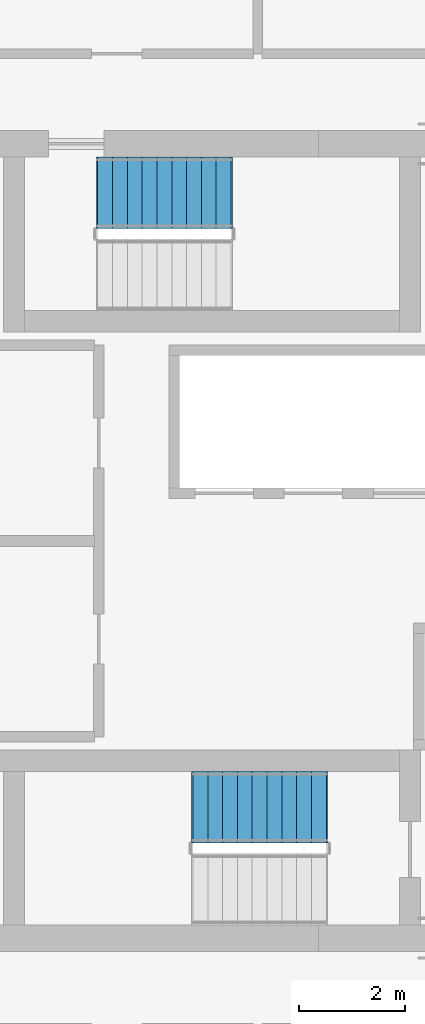
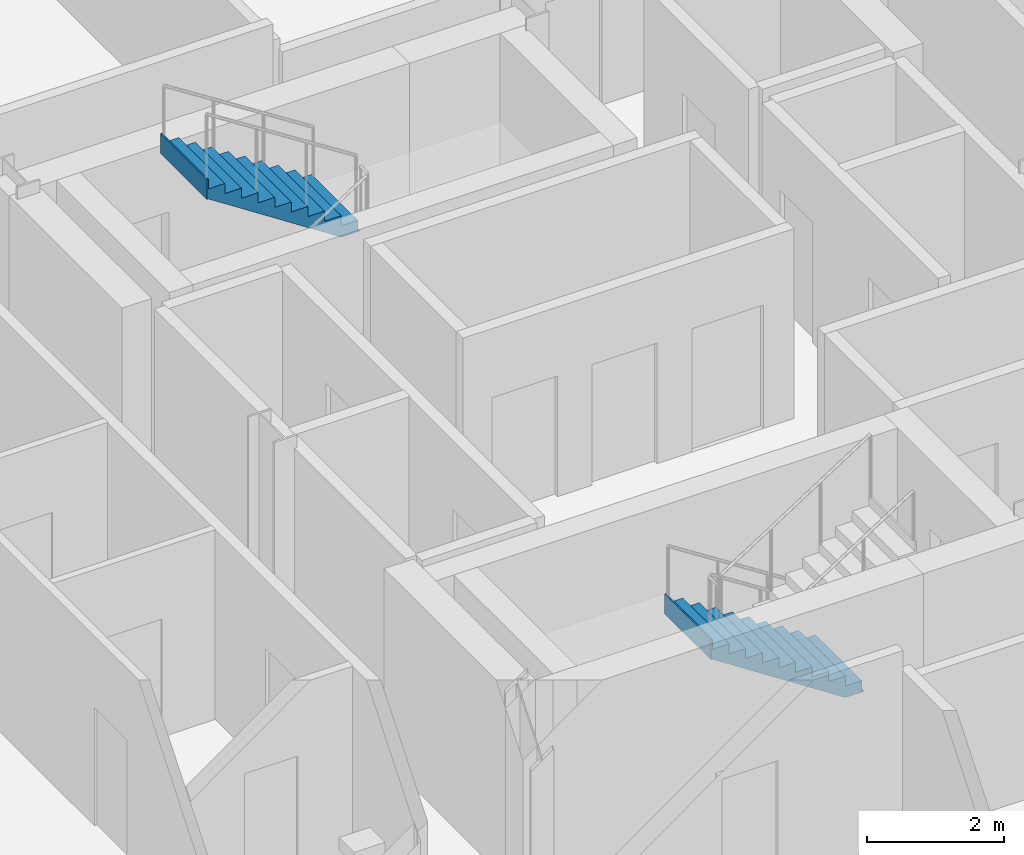
# One storey, part 19 of 21: 2 stair flights, 2 elements without a shape of their own.
"""IFC4 building model written with IfcOpenShell, lengths in metres."""

from ifc_helpers import new_model, si_unit, direction, frame, origin, place, context, subcontext, project, spatial, polyline, outline, extrude, material, type_object, element, aggregate, save


model = new_model("IFC4")

# Units and contexts
model_context = context("Model", 3, precision=1e-05, world=origin(), true_north=direction((0.0, 1.0)))
body_context = subcontext(model_context, "Body", "Model", "MODEL_VIEW")
ifc_project = project(units=[si_unit("LENGTHUNIT", "METRE"), si_unit("AREAUNIT", "SQUARE_METRE"), si_unit("VOLUMEUNIT", "CUBIC_METRE"), si_unit("PLANEANGLEUNIT", "RADIAN"), si_unit("MASSUNIT", "GRAM", prefix="KILO")], contexts=[model_context])

# Site, building, storey
site_placement = place(None, origin())
site = spatial("IfcSite", under=ifc_project, at=site_placement, CompositionType="ELEMENT")
building_placement = place(site_placement, origin())
building = spatial("IfcBuilding", under=site, at=building_placement, Name="Barlavira Tower and Art Museum", CompositionType="ELEMENT")
storey_placement = place(building_placement, frame((0.0, 0.0, 287.10009765625)))
storey = spatial("IfcBuildingStorey", under=building, at=storey_placement, Name="L75", CompositionType="ELEMENT", Elevation=287.10009765625)

# Stair, stair flight
ifc_material_1 = material(Name="Concrete C45", Category="concrete")
stair_type_1 = type_object("IfcStairType", Name="Tower North Dog-Leg Exit Stair Assembly Concrete C45", PredefinedType="TWO_QUARTER_TURN_STAIR", material=ifc_material_1)
stair_1_placement = place(storey_placement, origin())
stair_1 = element("IfcStair", 1, at=stair_1_placement, inside=storey, type_object=stair_type_1, Name="L75 Tower North Exit Stair ST-T2", PredefinedType="TWO_QUARTER_TURN_STAIR")
ifc_material_2 = material(Name="Precast concrete C45", Category="concrete")
stair_flight_type_1 = type_object("IfcStairFlightType", Name="Tower North Dog-Leg Exit Stair Precast Flight 1350 Concrete C45", PredefinedType="STRAIGHT", material=ifc_material_2)
stair_flight_1_placement = place(storey_placement, frame((-1.64990234375, 6.574951171875, 1.7998046875), z_axis=(0.0, 0.0, 1.0), x_axis=(-1.0, 0.0, 0.0)))
stair_flight_1 = element("IfcStairFlight", 2, at=stair_flight_1_placement, type_object=stair_flight_type_1, Name="ST-T2 flight 2", NumberOfRisers=10, NumberOfTreads=9, PredefinedType="STRAIGHT", RiserHeight=0.18, TreadLength=0.28, context=body_context, shape_type="SweptSolid", body=[
    extrude(outline(polyline([(-0.02490234375, 0.0), (0.0, 0.0), (0.0, 0.179931640625), (0.280029296875, 0.179931640625), (0.280029296875, 0.360107421875), (0.56005859375, 0.360107421875), (0.56005859375, 0.5400390625), (0.840087890625, 0.5400390625), (0.840087890625, 0.719970703125), (1.1201171875, 0.719970703125), (1.1201171875, 0.89990234375), (1.39990234375, 0.89990234375), (1.39990234375, 1.080078125), (1.679931640625, 1.080078125), (1.679931640625, 1.260009765625), (1.9599609375, 1.260009765625), (1.9599609375, 1.43994140625), (2.239990234375, 1.43994140625), (2.239990234375, 1.6201171875), (2.52001953125, 1.6201171875), (2.52001953125, 1.800048828125), (2.544921875, 1.800048828125), (2.544921875, 1.44189453125), (2.52001953125, 1.44189453125), (0.277099609375, -0.02490234375), (-0.02490234375, -0.02490234375), (-0.02490234375, 0.0)])), frame((0.0, 0.675048828125, 0.0), z_axis=(0.0, -1.0, 0.0), x_axis=(1.0, 0.0, 0.0)), (0.0, 0.0, 1.0), 1.35009765625),
])
aggregate(stair_1, [stair_flight_1])

stair_type_2 = type_object("IfcStairType", Name="Tower South Dog-Leg Exit Stair Assembly Concrete C45", PredefinedType="TWO_QUARTER_TURN_STAIR", material=ifc_material_1)
stair_2_placement = place(storey_placement, origin())
stair_2 = element("IfcStair", 3, at=stair_2_placement, inside=storey, type_object=stair_type_2, Name="L75 Tower South Exit Stair ST-T1", PredefinedType="TWO_QUARTER_TURN_STAIR")
stair_flight_type_2 = type_object("IfcStairFlightType", Name="Tower South Dog-Leg Exit Stair Precast Flight 1350 Concrete C45", PredefinedType="STRAIGHT", material=ifc_material_2)
stair_flight_2_placement = place(storey_placement, frame((0.14990234375, -5.02490234375, 0.0), z_axis=(0.0, 0.0, 1.0), x_axis=(-1.0, 0.0, 0.0)))
stair_flight_2 = element("IfcStairFlight", 4, at=stair_flight_2_placement, type_object=stair_flight_type_2, Name="ST-T1 flight 1", NumberOfRisers=10, NumberOfTreads=9, PredefinedType="STRAIGHT", RiserHeight=0.18, TreadLength=0.28, context=body_context, shape_type="SweptSolid", body=[
    extrude(outline(polyline([(-0.02490234375, 0.0), (0.0, 0.0), (0.0, 0.179931640625), (0.280029296875, 0.179931640625), (0.280029296875, 0.360107421875), (0.56005859375, 0.360107421875), (0.56005859375, 0.5400390625), (0.840087890625, 0.5400390625), (0.840087890625, 0.719970703125), (1.1201171875, 0.719970703125), (1.1201171875, 0.89990234375), (1.39990234375, 0.89990234375), (1.39990234375, 1.080078125), (1.679931640625, 1.080078125), (1.679931640625, 1.260009765625), (1.9599609375, 1.260009765625), (1.9599609375, 1.43994140625), (2.239990234375, 1.43994140625), (2.239990234375, 1.6201171875), (2.52001953125, 1.6201171875), (2.52001953125, 1.800048828125), (2.544921875, 1.800048828125), (2.544921875, 1.44189453125), (2.52001953125, 1.44189453125), (0.277099609375, -0.02490234375), (-0.02490234375, -0.02490234375), (-0.02490234375, 0.0)])), frame((0.0, 0.675048828125, 0.0), z_axis=(0.0, -1.0, 0.0), x_axis=(1.0, 0.0, 0.0)), (0.0, 0.0, 1.0), 1.35009765625),
])
aggregate(stair_2, [stair_flight_2])

save(model, "model.ifc")
